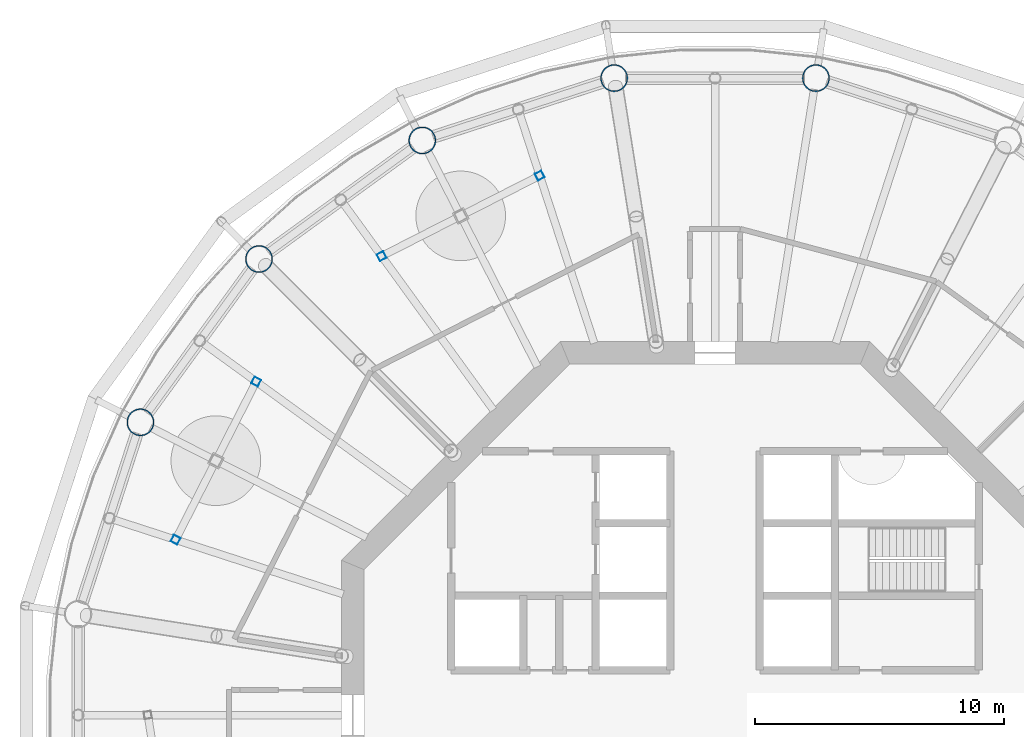
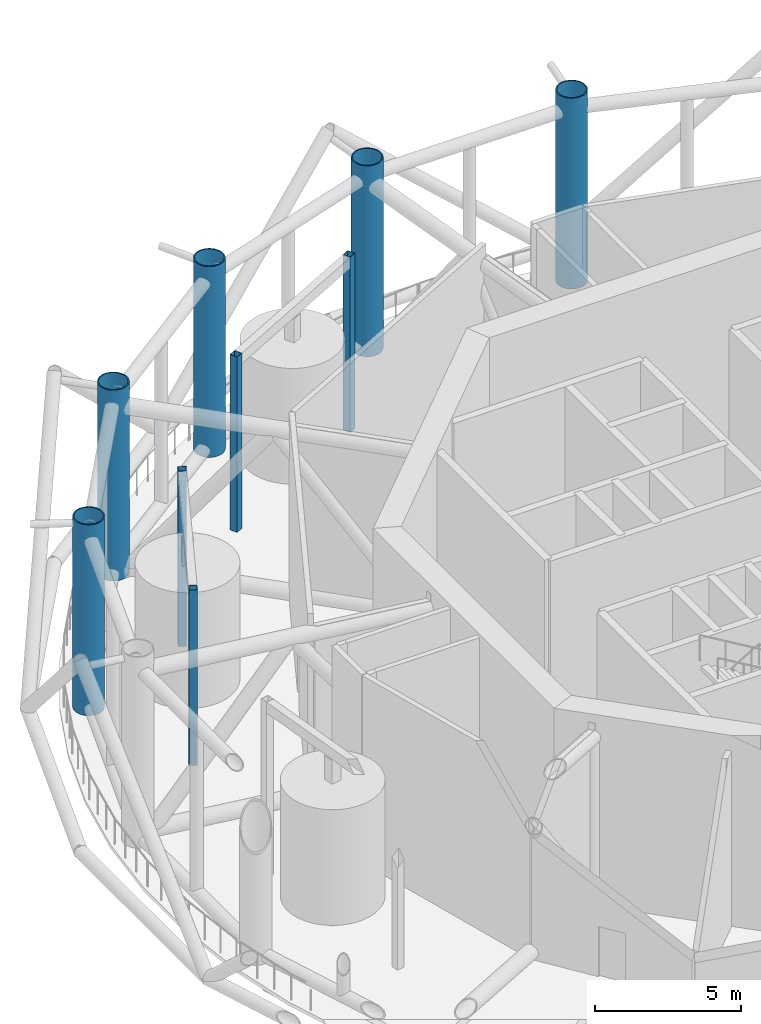
# One storey, part 4 of 22: 9 columns.
"""IFC4 building model written with IfcOpenShell, lengths in metres."""

from ifc_helpers import new_model, si_unit, direction, frame, origin, origin_2d, place, context, subcontext, project, spatial, hollow_rectangle, circle, hollow_circle, extrude, material, material_profile, profile_set, type_object, element, save


model = new_model("IFC4")

# Units and contexts
model_context = context("Model", 3, precision=1e-05, world=origin(), true_north=direction((0.0, 1.0)))
body_context = subcontext(model_context, "Body", "Model", "MODEL_VIEW")
ifc_project = project(units=[si_unit("LENGTHUNIT", "METRE"), si_unit("AREAUNIT", "SQUARE_METRE"), si_unit("VOLUMEUNIT", "CUBIC_METRE"), si_unit("PLANEANGLEUNIT", "RADIAN"), si_unit("MASSUNIT", "GRAM", prefix="KILO")], contexts=[model_context])

# Site, building, storey
site_placement = place(None, origin())
site = spatial("IfcSite", under=ifc_project, at=site_placement, CompositionType="ELEMENT")
building_placement = place(site_placement, origin())
building = spatial("IfcBuilding", under=site, at=building_placement, Name="Entoto Ring Tower", CompositionType="ELEMENT")
storey_placement = place(building_placement, frame((0.0, 0.0, 230.0)))
storey = spatial("IfcBuildingStorey", under=building, at=storey_placement, Name="L53", CompositionType="ELEMENT", Elevation=230.0)

# Columns
ifc_material_1 = material(Name="Steel S355", Category="steel")
ifc_material_profile_1 = material_profile(ifc_material_1, hollow_circle(Radius=0.550048828125, WallThickness=0.044921875, at=origin_2d()), Name="CHS 1100 x 45")
ifc_material_2 = material(Name="Concrete C60/75", Category="concrete")
ifc_material_profile_2 = material_profile(ifc_material_2, circle(Radius=0.5048828125, at=origin_2d()), Name="Concrete C60/75 infill")
ifc_profile_set_1 = profile_set([ifc_material_profile_1, ifc_material_profile_2], Name="Steel S355")
column_type_1 = type_object("IfcColumnType", Name="Ring column 1100 x 45 concrete-filled tube", PredefinedType="COLUMN", material=ifc_profile_set_1)
for number, where, z_axis, x_axis, name in (
    (1, (94.0517578125, 105.5810546875, 0.0), (0.0, 0.0, 1.0), (1.0, 0.0, 0.0), "RC4B R05"),
    (2, (85.9482421875, 105.5810546875, 0.0), (0.0, 0.0, 1.0), (1.0, 0.0, 0.0), "RC4B R06"),
    (3, (78.24169921875, 103.0771484375, 0.0), (0.0, 0.0, 1.0), (1.0, 0.0, 0.0), "RC4B R07"),
    (4, (71.68603515625, 98.31396484375, 0.0), (0.0, 0.0, 1.0), (1.0, 0.0, 0.0), "RC4B R08"),
    (5, (66.9228515625, 91.75830078125, 0.0), (0.0, 0.0, 1.0), (1.0, 0.0, 0.0), "RC4B R09"),
):
    element("IfcColumn", number, at=place(storey_placement, frame(where, z_axis=z_axis, x_axis=x_axis)), inside=storey, type_object=column_type_1, Name=name, PredefinedType="COLUMN", context=body_context, shape_type="SweptSolid", body=[
        extrude(hollow_circle(Radius=0.550048828125, WallThickness=0.044921875, at=origin_2d()), origin(), (0.0, 0.0, 1.0), 8.0),
    ])
ifc_material_3 = material(Name="Steel S355", Category="steel")
ifc_material_profile_3 = material_profile(ifc_material_3, hollow_rectangle(XDim=0.300048828125, YDim=0.300048828125, WallThickness=0.011962890625, at=origin_2d()), Name="Turbine frame post 300 x 300 x 12 mm")
ifc_profile_set_2 = profile_set([ifc_material_profile_3], Name="Steel S355")
column_type_2 = type_object("IfcColumnType", Name="Turbine frame post 300 x 300 x 12 mm", PredefinedType="COLUMN", material=ifc_profile_set_2)
for number, where, z_axis, x_axis, name in (
    (6, (82.96044921875, 101.66552734375, 0.0), (0.0, 0.0, 1.0), (-0.891006524188, -0.45399049974, 0.0), "TURBINE FRAME POST 3a"),
    (7, (76.60986328125, 98.4296875, 0.0), (0.0, 0.0, 1.0), (-0.891006524188, -0.45399049974, 0.0), "TURBINE FRAME POST 3b"),
    (8, (71.5703125, 93.39013671875, 0.0), (0.0, 0.0, 1.0), (-0.45399049974, -0.891006524188, 0.0), "TURBINE FRAME POST 4a"),
    (9, (68.33447265625, 87.03955078125, 0.0), (0.0, 0.0, 1.0), (-0.45399049974, -0.891006524188, 0.0), "TURBINE FRAME POST 4b"),
):
    element("IfcColumn", number, at=place(storey_placement, frame(where, z_axis=z_axis, x_axis=x_axis)), inside=storey, type_object=column_type_2, Name=name, PredefinedType="COLUMN", context=body_context, shape_type="SweptSolid", body=[
        extrude(hollow_rectangle(XDim=0.300048828125, YDim=0.300048828125, WallThickness=0.011962890625, at=origin_2d()), origin(), (0.0, 0.0, 1.0), 7.35009765625),
    ])

save(model, "model.ifc")
